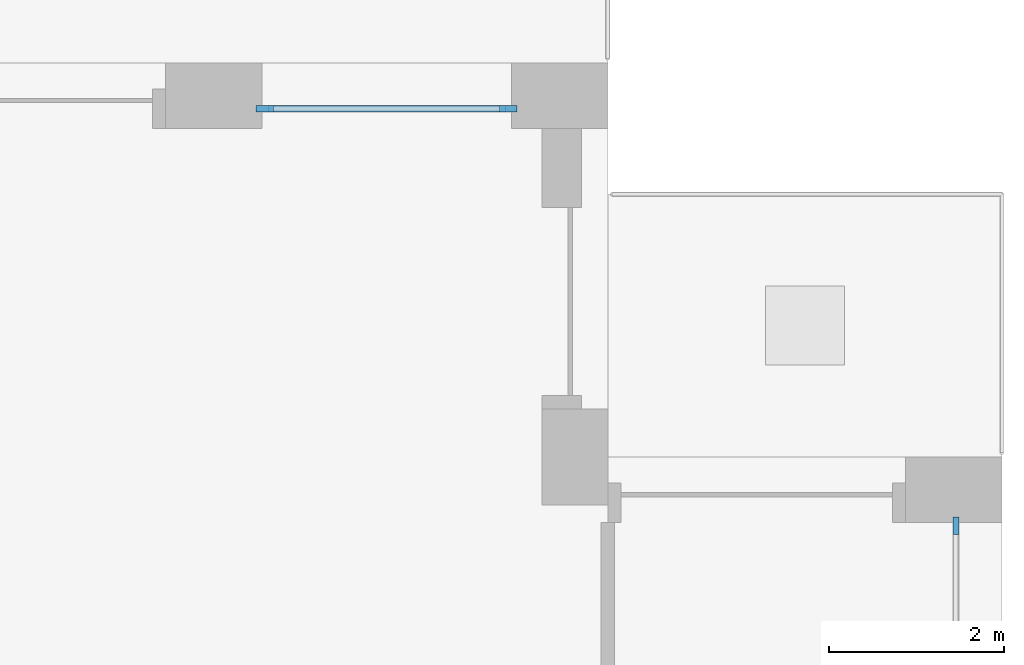
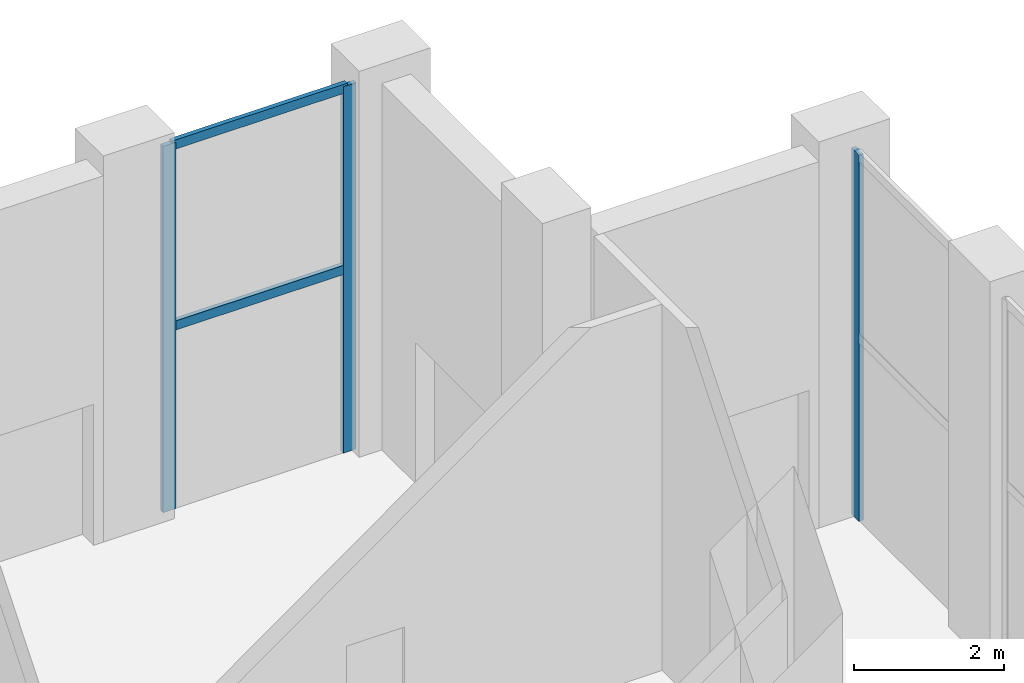
# One storey, part 10 of 21: 5 members, 2 elements without a shape of their own.
"""IFC4 building model written with IfcOpenShell, lengths in metres."""

from ifc_helpers import new_model, si_unit, direction, frame, origin, origin_2d, place, context, subcontext, project, spatial, rectangle, extrude, material, layer, layer_set, material_profile, profile_set, type_object, element, aggregate, save


model = new_model("IFC4")

# Units and contexts
model_context = context("Model", 3, precision=1e-05, world=origin(), true_north=direction((0.0, 1.0)))
body_context = subcontext(model_context, "Body", "Model", "MODEL_VIEW")
ifc_project = project(units=[si_unit("LENGTHUNIT", "METRE"), si_unit("AREAUNIT", "SQUARE_METRE"), si_unit("VOLUMEUNIT", "CUBIC_METRE"), si_unit("PLANEANGLEUNIT", "RADIAN"), si_unit("MASSUNIT", "GRAM", prefix="KILO")], contexts=[model_context])

# Site, building, storey
site_placement = place(None, origin())
site = spatial("IfcSite", under=ifc_project, at=site_placement, CompositionType="ELEMENT")
building_placement = place(site_placement, origin())
building = spatial("IfcBuilding", under=site, at=building_placement, Name="Brigalow Station Residences", CompositionType="ELEMENT")
storey_placement = place(building_placement, frame((0.0, 0.0, 77.25)))
storey = spatial("IfcBuildingStorey", under=building, at=storey_placement, Name="L22", CompositionType="ELEMENT", Elevation=77.25)

# Curtain wall, member
ifc_material_1 = material(Name="Aluminium", Category="aluminium")
ifc_layer = layer(ifc_material_1, 0.199951171875)
ifc_layer_set = layer_set([ifc_layer], Name="SKY FLOOR GLAZING CURTAIN WALL")
curtain_wall_type = type_object("IfcCurtainWallType", Name="SKY FLOOR GLAZING CURTAIN WALL", PredefinedType="NOTDEFINED", material=ifc_layer_set)
curtain_wall_1_placement = place(storey_placement, origin())
curtain_wall_1 = element("IfcCurtainWall", 1, at=curtain_wall_1_placement, inside=storey, type_object=curtain_wall_type, Name="L22/cw/W-L22-20", PredefinedType="NOTDEFINED")
ifc_material_2 = material(Name="Aluminium", Category="aluminium")
ifc_material_profile_1 = material_profile(ifc_material_2, rectangle(XDim=0.070068359375, YDim=0.199951171875, at=origin_2d()), Name="SKY FLOOR GLAZING MULLION 70x200")
ifc_profile_set_1 = profile_set([ifc_material_profile_1], Name="Aluminium")
member_type_1 = type_object("IfcMemberType", Name="SKY FLOOR GLAZING MULLION 70x200", PredefinedType="MULLION", material=ifc_profile_set_1)
member_1_placement = place(storey_placement, frame((75.97509765625, 40.215087890625, 0.0), z_axis=(0.0, 0.0, 1.0), x_axis=(-1.0, 0.0, 0.0)))
member_1 = element("IfcMember", 2, at=member_1_placement, type_object=member_type_1, Name="L22/cw/W-L22-20/M01", PredefinedType="MULLION", context=body_context, shape_type="SweptSolid", body=[
    extrude(rectangle(XDim=0.070068359375, YDim=0.199951171875, at=origin_2d()), origin(), (0.0, 0.0, 1.0), 5.97998046875),
])
aggregate(curtain_wall_1, [member_1])

# Curtain wall, members
curtain_wall_2_placement = place(storey_placement, origin())
curtain_wall_2 = element("IfcCurtainWall", 3, at=curtain_wall_2_placement, inside=storey, type_object=curtain_wall_type, Name="L22/cw/W-L22-23", PredefinedType="NOTDEFINED")
member_2_placement = place(storey_placement, frame((70.864990234375, 44.97509765625, 0.0), z_axis=(0.0, 0.0, 1.0), x_axis=(0.0, -1.0, 0.0)))
member_2 = element("IfcMember", 4, at=member_2_placement, type_object=member_type_1, Name="L22/cw/W-L22-23/M00", PredefinedType="MULLION", context=body_context, shape_type="SweptSolid", body=[
    extrude(rectangle(XDim=0.070068359375, YDim=0.199951171875, at=origin_2d()), origin(), (0.0, 0.0, 1.0), 5.97998046875),
])
member_3_placement = place(storey_placement, frame((68.0849609375, 44.97509765625, 0.0), z_axis=(0.0, 0.0, 1.0), x_axis=(0.0, -1.0, 0.0)))
member_3 = element("IfcMember", 5, at=member_3_placement, type_object=member_type_1, Name="L22/cw/W-L22-23/M01", PredefinedType="MULLION", context=body_context, shape_type="SweptSolid", body=[
    extrude(rectangle(XDim=0.070068359375, YDim=0.199951171875, at=origin_2d()), origin(), (0.0, 0.0, 1.0), 5.97998046875),
])
ifc_material_3 = material(Name="Aluminium", Category="aluminium")
ifc_material_profile_2 = material_profile(ifc_material_3, rectangle(XDim=0.070068359375, YDim=0.14990234375, at=origin_2d()), Name="SKY FLOOR GLAZING TRANSOM 70x150")
ifc_profile_set_2 = profile_set([ifc_material_profile_2], Name="Aluminium")
member_type_2 = type_object("IfcMemberType", Name="SKY FLOOR GLAZING TRANSOM 70x150", PredefinedType="USERDEFINED", material=ifc_profile_set_2)
member_4_placement = place(storey_placement, frame((70.830078125, 44.97509765625, 2.989990234375), z_axis=(-1.0, 0.0, 0.0), x_axis=(0.0, -1.0, 0.0)))
member_4 = element("IfcMember", 6, at=member_4_placement, type_object=member_type_2, Name="L22/cw/W-L22-23/T00-00", ObjectType="TRANSOM", PredefinedType="USERDEFINED", context=body_context, shape_type="SweptSolid", body=[
    extrude(rectangle(XDim=0.070068359375, YDim=0.14990234375, at=origin_2d()), origin(), (0.0, 0.0, 1.0), 2.7099609375),
])
member_5_placement = place(storey_placement, frame((70.830078125, 44.97509765625, 5.945068359375), z_axis=(-1.0, 0.0, 0.0), x_axis=(0.0, -1.0, 0.0)))
member_5 = element("IfcMember", 7, at=member_5_placement, type_object=member_type_2, Name="L22/cw/W-L22-23/T00-01", ObjectType="TRANSOM", PredefinedType="USERDEFINED", context=body_context, shape_type="SweptSolid", body=[
    extrude(rectangle(XDim=0.070068359375, YDim=0.14990234375, at=origin_2d()), origin(), (0.0, 0.0, 1.0), 2.7099609375),
])
aggregate(curtain_wall_2, [member_2, member_3, member_4, member_5])

save(model, "model.ifc")
